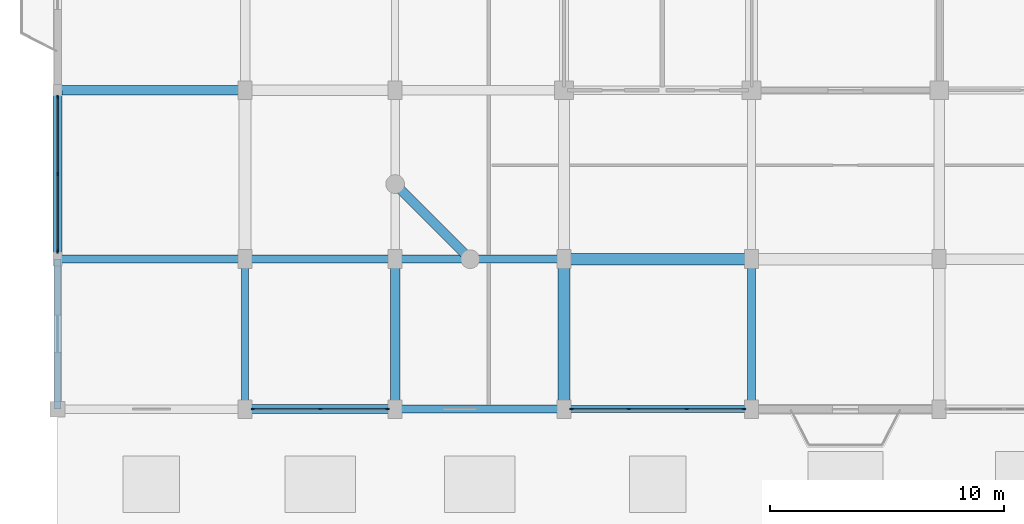
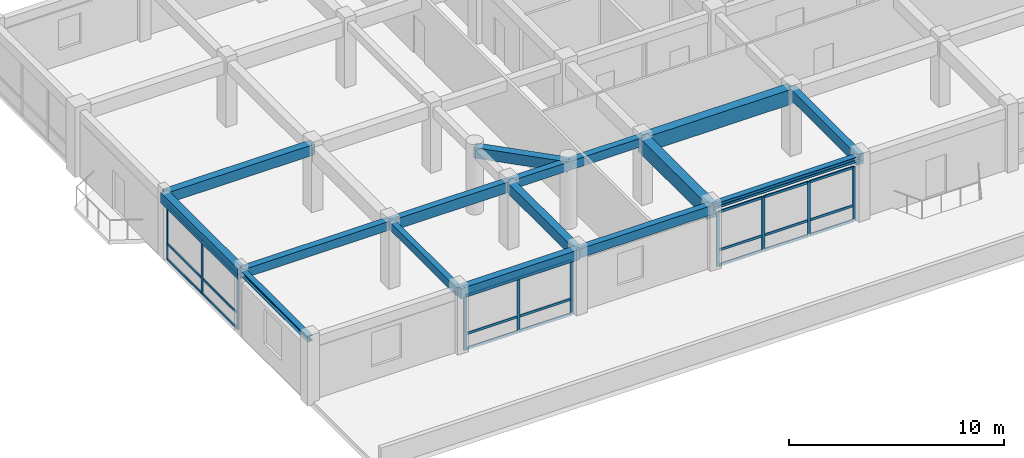
# One storey, part 2 of 20: 31 members, 15 beams, 3 elements without a shape of their own.
"""IFC4 building model written with IfcOpenShell, lengths in metres."""

from ifc_helpers import new_model, si_unit, direction, frame, origin, origin_2d, place, context, subcontext, project, spatial, rectangle, i_section, extrude, material, material_profile, profile_set, type_object, element, aggregate, save


model = new_model("IFC4")

# Units and contexts
model_context = context("Model", 3, precision=1e-05, world=origin(), true_north=direction((0.0, 1.0)))
body_context = subcontext(model_context, "Body", "Model", "MODEL_VIEW")
ifc_project = project(units=[si_unit("LENGTHUNIT", "METRE"), si_unit("AREAUNIT", "SQUARE_METRE"), si_unit("VOLUMEUNIT", "CUBIC_METRE"), si_unit("PLANEANGLEUNIT", "RADIAN"), si_unit("MASSUNIT", "GRAM", prefix="KILO")], contexts=[model_context])

# Site, building, storey
site_placement = place(None, origin())
site = spatial("IfcSite", under=ifc_project, at=site_placement, CompositionType="ELEMENT")
building_placement = place(site_placement, origin())
building = spatial("IfcBuilding", under=site, at=building_placement, Name="Vellmiral Cinema and Media Centre", CompositionType="ELEMENT")
storey_placement = place(building_placement, frame((0.0, 0.0, 23.800048828125)))
storey = spatial("IfcBuildingStorey", under=building, at=storey_placement, Name="L05", CompositionType="ELEMENT", Elevation=23.800048828125)

# Beams
ifc_material_1 = material(Name="Concrete C40/50", Category="concrete")
ifc_material_profile_1 = material_profile(ifc_material_1, rectangle(XDim=0.300048828125, YDim=0.449951171875, at=origin_2d()), Name="RC 300x450")
ifc_profile_set_1 = profile_set([ifc_material_profile_1], Name="Concrete C40/50")
beam_type_1 = type_object("IfcBeamType", Name="BM-RC-300x450", PredefinedType="BEAM", material=ifc_profile_set_1)
beam_1_placement = place(storey_placement, frame((110.39990234375, 65.60009765625, 3.469970703125), z_axis=(0.0, 1.0, 0.0), x_axis=(-1.0, 0.0, 0.0)))
element("IfcBeam", 1, at=beam_1_placement, inside=storey, type_object=beam_type_1, Name="Grid Beam L05-Y058", PredefinedType="BEAM", context=body_context, shape_type="SweptSolid", body=[
    extrude(rectangle(XDim=0.300048828125, YDim=0.449951171875, at=origin_2d()), origin(), (0.0, 0.0, 1.0), 6.39990234375),
])
ifc_material_2 = material(Name="Concrete C40/50", Category="concrete")
ifc_material_profile_2 = material_profile(ifc_material_2, rectangle(XDim=0.35009765625, YDim=0.5, at=origin_2d()), Name="RC 350x500")
ifc_profile_set_2 = profile_set([ifc_material_profile_2], Name="Concrete C40/50")
beam_type_2 = type_object("IfcBeamType", Name="BM-RC-350x500", PredefinedType="BEAM", material=ifc_profile_set_2)
beam_2_placement = place(storey_placement, frame((102.39990234375, 72.0, 3.445068359375), z_axis=(1.0, 0.0, 0.0), x_axis=(0.0, 1.0, 0.0)))
element("IfcBeam", 2, at=beam_2_placement, inside=storey, type_object=beam_type_2, Name="Grid Beam L05-X009", PredefinedType="BEAM", context=body_context, shape_type="SweptSolid", body=[
    extrude(rectangle(XDim=0.35009765625, YDim=0.5, at=origin_2d()), origin(), (0.0, 0.0, 1.0), 8.0),
])
beam_3_placement = place(storey_placement, frame((116.800048828125, 72.0, 3.445068359375), z_axis=(1.0, 0.0, 0.0), x_axis=(0.0, 1.0, 0.0)))
element("IfcBeam", 3, at=beam_3_placement, inside=storey, type_object=beam_type_2, Name="Grid Beam L05-X011", PredefinedType="BEAM", context=body_context, shape_type="SweptSolid", body=[
    extrude(rectangle(XDim=0.35009765625, YDim=0.5, at=origin_2d()), origin(), (0.0, 0.0, 1.0), 7.199951171875),
])
ifc_material_3 = material(Name="Concrete C40/50", Category="concrete")
ifc_material_profile_3 = material_profile(ifc_material_3, rectangle(XDim=0.35009765625, YDim=0.60009765625, at=origin_2d()), Name="RC 350x600")
ifc_profile_set_3 = profile_set([ifc_material_profile_3], Name="Concrete C40/50")
beam_type_3 = type_object("IfcBeamType", Name="BM-RC-350x600", PredefinedType="BEAM", material=ifc_profile_set_3)
beam_4_placement = place(storey_placement, frame((110.39990234375, 72.0, 3.39501953125), z_axis=(1.0, 0.0, 0.0), x_axis=(0.0, 1.0, 0.0)))
element("IfcBeam", 4, at=beam_4_placement, inside=storey, type_object=beam_type_3, Name="Grid Beam L05-X010", PredefinedType="BEAM", context=body_context, shape_type="SweptSolid", body=[
    extrude(rectangle(XDim=0.35009765625, YDim=0.60009765625, at=origin_2d()), origin(), (0.0, 0.0, 1.0), 6.400146484375),
])
beam_5_placement = place(storey_placement, frame((132.0, 65.60009765625, 3.39501953125), z_axis=(0.0, 1.0, 0.0), x_axis=(-1.0, 0.0, 0.0)))
element("IfcBeam", 5, at=beam_5_placement, inside=storey, type_object=beam_type_3, Name="Grid Beam L05-Y076", PredefinedType="BEAM", context=body_context, shape_type="SweptSolid", body=[
    extrude(rectangle(XDim=0.35009765625, YDim=0.60009765625, at=origin_2d()), origin(), (0.0, 0.0, 1.0), 6.39990234375),
])
ifc_material_4 = material(Name="Concrete C40/50", Category="concrete")
ifc_material_profile_4 = material_profile(ifc_material_4, rectangle(XDim=0.39990234375, YDim=0.60009765625, at=origin_2d()), Name="RC 400x600")
ifc_profile_set_4 = profile_set([ifc_material_profile_4], Name="Concrete C40/50")
beam_type_4 = type_object("IfcBeamType", Name="BM-RC-400x600", PredefinedType="BEAM", material=ifc_profile_set_4)
beam_6_placement = place(storey_placement, frame((102.39990234375, 79.199951171875, 3.39501953125), z_axis=(1.0, 0.0, 0.0), x_axis=(0.0, 1.0, 0.0)))
element("IfcBeam", 6, at=beam_6_placement, inside=storey, type_object=beam_type_4, Name="Grid Beam L05-X017", PredefinedType="BEAM", context=body_context, shape_type="SweptSolid", body=[
    extrude(rectangle(XDim=0.39990234375, YDim=0.60009765625, at=origin_2d()), origin(), (0.0, 0.0, 1.0), 8.0),
])
beam_7_placement = place(storey_placement, frame((116.800048828125, 65.60009765625, 3.39501953125), z_axis=(0.0, 1.0, 0.0), x_axis=(-1.0, 0.0, 0.0)))
element("IfcBeam", 7, at=beam_7_placement, inside=storey, type_object=beam_type_4, Name="Grid Beam L05-Y064", PredefinedType="BEAM", context=body_context, shape_type="SweptSolid", body=[
    extrude(rectangle(XDim=0.39990234375, YDim=0.60009765625, at=origin_2d()), origin(), (0.0, 0.0, 1.0), 6.39990234375),
])
ifc_material_5 = material(Name="Concrete C40/50", Category="concrete")
ifc_material_profile_5 = material_profile(ifc_material_5, rectangle(XDim=0.5, YDim=0.85009765625, at=origin_2d()), Name="RC 500x850")
ifc_profile_set_5 = profile_set([ifc_material_profile_5], Name="Concrete C40/50")
beam_type_5 = type_object("IfcBeamType", Name="BM-RC-500x850", PredefinedType="BEAM", material=ifc_profile_set_5)
beam_8_placement = place(storey_placement, frame((124.0, 72.0, 3.27001953125), z_axis=(1.0, 0.0, 0.0), x_axis=(0.0, 1.0, 0.0)))
element("IfcBeam", 8, at=beam_8_placement, inside=storey, type_object=beam_type_5, Name="Grid Beam L05-X012", PredefinedType="BEAM", context=body_context, shape_type="SweptSolid", body=[
    extrude(rectangle(XDim=0.5, YDim=0.85009765625, at=origin_2d()), origin(), (0.0, 0.0, 1.0), 8.0),
])
beam_9_placement = place(storey_placement, frame((124.0, 65.60009765625, 3.27001953125), z_axis=(0.0, 1.0, 0.0), x_axis=(-1.0, 0.0, 0.0)))
element("IfcBeam", 9, at=beam_9_placement, inside=storey, type_object=beam_type_5, Name="Grid Beam L05-Y070", PredefinedType="BEAM", context=body_context, shape_type="SweptSolid", body=[
    extrude(rectangle(XDim=0.5, YDim=0.85009765625, at=origin_2d()), origin(), (0.0, 0.0, 1.0), 6.39990234375),
])

# Curtain wall, members
ifc_material_6 = material(Name="Thermally Broken Aluminium and Triple Glazing", Category="aluminium")
curtain_wall_type_1 = type_object("IfcCurtainWallType", Name="CW-TOWER-LOW-S", PredefinedType="USERDEFINED", material=ifc_material_6)
curtain_wall_1_placement = place(storey_placement, origin())
curtain_wall_1 = element("IfcCurtainWall", 10, at=curtain_wall_1_placement, inside=storey, type_object=curtain_wall_type_1, Name="Curtain Wall L05-B002", ObjectType="UNITISED CURTAIN WALL", PredefinedType="USERDEFINED")
ifc_material_7 = material(Name="Thermally Broken Anodised Aluminium", Category="aluminium")
ifc_material_profile_6 = material_profile(ifc_material_7, rectangle(XDim=0.06494140625, YDim=0.159912109375, at=origin_2d()), Name="MULL 65x160")
ifc_profile_set_6 = profile_set([ifc_material_profile_6], Name="Thermally Broken Anodised Aluminium")
member_type_1 = type_object("IfcMemberType", Name="CWM-65x160", PredefinedType="MULLION", material=ifc_profile_set_6)
member_1_placement = place(storey_placement, frame((110.732421875, 65.60009765625, 0.0), z_axis=(0.0, 0.0, 1.0), x_axis=(0.0, 1.0, 0.0)))
member_1 = element("IfcMember", 11, at=member_1_placement, type_object=member_type_1, Name="CW-06 mullion 1", PredefinedType="MULLION", context=body_context, shape_type="SweptSolid", body=[
    extrude(rectangle(XDim=0.06494140625, YDim=0.159912109375, at=origin_2d()), origin(), (0.0, 0.0, 1.0), 3.099853515625),
])
member_2_placement = place(storey_placement, frame((113.60009765625, 65.60009765625, 0.0), z_axis=(0.0, 0.0, 1.0), x_axis=(0.0, 1.0, 0.0)))
member_2 = element("IfcMember", 12, at=member_2_placement, type_object=member_type_1, Name="CW-06 mullion 2", PredefinedType="MULLION", context=body_context, shape_type="SweptSolid", body=[
    extrude(rectangle(XDim=0.06494140625, YDim=0.159912109375, at=origin_2d()), origin(), (0.0, 0.0, 1.0), 3.099853515625),
])
member_3_placement = place(storey_placement, frame((116.467529296875, 65.60009765625, 0.0), z_axis=(0.0, 0.0, 1.0), x_axis=(0.0, 1.0, 0.0)))
member_3 = element("IfcMember", 13, at=member_3_placement, type_object=member_type_1, Name="CW-06 mullion 3", PredefinedType="MULLION", context=body_context, shape_type="SweptSolid", body=[
    extrude(rectangle(XDim=0.06494140625, YDim=0.159912109375, at=origin_2d()), origin(), (0.0, 0.0, 1.0), 3.099853515625),
])

curtain_wall_2_placement = place(storey_placement, origin())
curtain_wall_2 = element("IfcCurtainWall", 14, at=curtain_wall_2_placement, inside=storey, type_object=curtain_wall_type_1, Name="Curtain Wall L05-B004", ObjectType="UNITISED CURTAIN WALL", PredefinedType="USERDEFINED")
member_4_placement = place(storey_placement, frame((124.33251953125, 65.60009765625, 0.0), z_axis=(0.0, 0.0, 1.0), x_axis=(0.0, 1.0, 0.0)))
member_4 = element("IfcMember", 15, at=member_4_placement, type_object=member_type_1, Name="CW-06 mullion 1", PredefinedType="MULLION", context=body_context, shape_type="SweptSolid", body=[
    extrude(rectangle(XDim=0.06494140625, YDim=0.159912109375, at=origin_2d()), origin(), (0.0, 0.0, 1.0), 3.099853515625),
])
member_5_placement = place(storey_placement, frame((126.7666015625, 65.60009765625, 0.0), z_axis=(0.0, 0.0, 1.0), x_axis=(0.0, 1.0, 0.0)))
member_5 = element("IfcMember", 16, at=member_5_placement, type_object=member_type_1, Name="CW-06 mullion 2", PredefinedType="MULLION", context=body_context, shape_type="SweptSolid", body=[
    extrude(rectangle(XDim=0.06494140625, YDim=0.159912109375, at=origin_2d()), origin(), (0.0, 0.0, 1.0), 3.099853515625),
])
member_6_placement = place(storey_placement, frame((129.2333984375, 65.60009765625, 0.0), z_axis=(0.0, 0.0, 1.0), x_axis=(0.0, 1.0, 0.0)))
member_6 = element("IfcMember", 17, at=member_6_placement, type_object=member_type_1, Name="CW-06 mullion 3", PredefinedType="MULLION", context=body_context, shape_type="SweptSolid", body=[
    extrude(rectangle(XDim=0.06494140625, YDim=0.159912109375, at=origin_2d()), origin(), (0.0, 0.0, 1.0), 3.099853515625),
])
member_7_placement = place(storey_placement, frame((131.66748046875, 65.60009765625, 0.0), z_axis=(0.0, 0.0, 1.0), x_axis=(0.0, 1.0, 0.0)))
member_7 = element("IfcMember", 18, at=member_7_placement, type_object=member_type_1, Name="CW-06 mullion 4", PredefinedType="MULLION", context=body_context, shape_type="SweptSolid", body=[
    extrude(rectangle(XDim=0.06494140625, YDim=0.159912109375, at=origin_2d()), origin(), (0.0, 0.0, 1.0), 3.099853515625),
])

ifc_material_8 = material(Name="Thermally Broken Aluminium and Triple Glazing", Category="aluminium")
curtain_wall_type_2 = type_object("IfcCurtainWallType", Name="CW-TOWER-LOW-N", PredefinedType="USERDEFINED", material=ifc_material_8)
curtain_wall_3_placement = place(storey_placement, origin())
curtain_wall_3 = element("IfcCurtainWall", 19, at=curtain_wall_3_placement, inside=storey, type_object=curtain_wall_type_2, Name="Curtain Wall L05-B030", ObjectType="UNITISED CURTAIN WALL", PredefinedType="USERDEFINED")
member_8_placement = place(storey_placement, frame((102.39990234375, 78.91748046875, 0.0), z_axis=(0.0, 0.0, 1.0), x_axis=(1.0, 0.0, 0.0)))
member_8 = element("IfcMember", 20, at=member_8_placement, type_object=member_type_1, Name="CW-05 mullion 1", PredefinedType="MULLION", context=body_context, shape_type="SweptSolid", body=[
    extrude(rectangle(XDim=0.06494140625, YDim=0.159912109375, at=origin_2d()), origin(), (0.0, 0.0, 1.0), 3.0849609375),
])
member_9_placement = place(storey_placement, frame((102.39990234375, 75.625, 0.0), z_axis=(0.0, 0.0, 1.0), x_axis=(1.0, 0.0, 0.0)))
member_9 = element("IfcMember", 21, at=member_9_placement, type_object=member_type_1, Name="CW-05 mullion 2", PredefinedType="MULLION", context=body_context, shape_type="SweptSolid", body=[
    extrude(rectangle(XDim=0.06494140625, YDim=0.159912109375, at=origin_2d()), origin(), (0.0, 0.0, 1.0), 3.0849609375),
])
member_10_placement = place(storey_placement, frame((102.39990234375, 72.33251953125, 0.0), z_axis=(0.0, 0.0, 1.0), x_axis=(1.0, 0.0, 0.0)))
member_10 = element("IfcMember", 22, at=member_10_placement, type_object=member_type_1, Name="CW-05 mullion 3", PredefinedType="MULLION", context=body_context, shape_type="SweptSolid", body=[
    extrude(rectangle(XDim=0.06494140625, YDim=0.159912109375, at=origin_2d()), origin(), (0.0, 0.0, 1.0), 3.0849609375),
])

# Member
ifc_material_9 = material(Name="Thermally Broken Anodised Aluminium", Category="aluminium")
ifc_material_profile_7 = material_profile(ifc_material_9, rectangle(XDim=0.06494140625, YDim=0.135009765625, at=origin_2d()), Name="MULL 65x135")
ifc_profile_set_7 = profile_set([ifc_material_profile_7], Name="Thermally Broken Anodised Aluminium")
member_type_2 = type_object("IfcMemberType", Name="CWT-65x135", PredefinedType="USERDEFINED", material=ifc_profile_set_7)
member_11_placement = place(storey_placement, frame((110.764892578125, 65.60009765625, 0.032470703125), z_axis=(1.0, 0.0, 0.0), x_axis=(0.0, 1.0, 0.0)))
member_11 = element("IfcMember", 23, at=member_11_placement, type_object=member_type_2, Name="CW-06 transom 1.1", ObjectType="TRANSOM", PredefinedType="USERDEFINED", context=body_context, shape_type="SweptSolid", body=[
    extrude(rectangle(XDim=0.06494140625, YDim=0.135009765625, at=origin_2d()), origin(), (0.0, 0.0, 1.0), 2.802490234375),
])

member_12_placement = place(storey_placement, frame((110.764892578125, 65.60009765625, 0.89990234375), z_axis=(1.0, 0.0, 0.0), x_axis=(0.0, 1.0, 0.0)))
member_12 = element("IfcMember", 24, at=member_12_placement, type_object=member_type_2, Name="CW-06 transom 1.2", ObjectType="TRANSOM", PredefinedType="USERDEFINED", context=body_context, shape_type="SweptSolid", body=[
    extrude(rectangle(XDim=0.06494140625, YDim=0.135009765625, at=origin_2d()), origin(), (0.0, 0.0, 1.0), 2.802490234375),
])

member_13_placement = place(storey_placement, frame((110.764892578125, 65.60009765625, 3.0673828125), z_axis=(1.0, 0.0, 0.0), x_axis=(0.0, 1.0, 0.0)))
member_13 = element("IfcMember", 25, at=member_13_placement, type_object=member_type_2, Name="CW-06 transom 1.3", ObjectType="TRANSOM", PredefinedType="USERDEFINED", context=body_context, shape_type="SweptSolid", body=[
    extrude(rectangle(XDim=0.06494140625, YDim=0.135009765625, at=origin_2d()), origin(), (0.0, 0.0, 1.0), 2.802490234375),
])

member_14_placement = place(storey_placement, frame((113.632568359375, 65.60009765625, 0.032470703125), z_axis=(1.0, 0.0, 0.0), x_axis=(0.0, 1.0, 0.0)))
member_14 = element("IfcMember", 26, at=member_14_placement, type_object=member_type_2, Name="CW-06 transom 2.1", ObjectType="TRANSOM", PredefinedType="USERDEFINED", context=body_context, shape_type="SweptSolid", body=[
    extrude(rectangle(XDim=0.06494140625, YDim=0.135009765625, at=origin_2d()), origin(), (0.0, 0.0, 1.0), 2.802490234375),
])

member_15_placement = place(storey_placement, frame((113.632568359375, 65.60009765625, 0.89990234375), z_axis=(1.0, 0.0, 0.0), x_axis=(0.0, 1.0, 0.0)))
member_15 = element("IfcMember", 27, at=member_15_placement, type_object=member_type_2, Name="CW-06 transom 2.2", ObjectType="TRANSOM", PredefinedType="USERDEFINED", context=body_context, shape_type="SweptSolid", body=[
    extrude(rectangle(XDim=0.06494140625, YDim=0.135009765625, at=origin_2d()), origin(), (0.0, 0.0, 1.0), 2.802490234375),
])

member_16_placement = place(storey_placement, frame((113.632568359375, 65.60009765625, 3.0673828125), z_axis=(1.0, 0.0, 0.0), x_axis=(0.0, 1.0, 0.0)))
member_16 = element("IfcMember", 28, at=member_16_placement, type_object=member_type_2, Name="CW-06 transom 2.3", ObjectType="TRANSOM", PredefinedType="USERDEFINED", context=body_context, shape_type="SweptSolid", body=[
    extrude(rectangle(XDim=0.06494140625, YDim=0.135009765625, at=origin_2d()), origin(), (0.0, 0.0, 1.0), 2.802490234375),
])

aggregate(curtain_wall_1, [member_1, member_2, member_3, member_11, member_12, member_13, member_14, member_15, member_16])

member_17_placement = place(storey_placement, frame((124.364990234375, 65.60009765625, 0.032470703125), z_axis=(1.0, 0.0, 0.0), x_axis=(0.0, 1.0, 0.0)))
member_17 = element("IfcMember", 29, at=member_17_placement, type_object=member_type_2, Name="CW-06 transom 1.1", ObjectType="TRANSOM", PredefinedType="USERDEFINED", context=body_context, shape_type="SweptSolid", body=[
    extrude(rectangle(XDim=0.06494140625, YDim=0.135009765625, at=origin_2d()), origin(), (0.0, 0.0, 1.0), 2.369140625),
])

member_18_placement = place(storey_placement, frame((124.364990234375, 65.60009765625, 0.89990234375), z_axis=(1.0, 0.0, 0.0), x_axis=(0.0, 1.0, 0.0)))
member_18 = element("IfcMember", 30, at=member_18_placement, type_object=member_type_2, Name="CW-06 transom 1.2", ObjectType="TRANSOM", PredefinedType="USERDEFINED", context=body_context, shape_type="SweptSolid", body=[
    extrude(rectangle(XDim=0.06494140625, YDim=0.135009765625, at=origin_2d()), origin(), (0.0, 0.0, 1.0), 2.369140625),
])

member_19_placement = place(storey_placement, frame((124.364990234375, 65.60009765625, 3.0673828125), z_axis=(1.0, 0.0, 0.0), x_axis=(0.0, 1.0, 0.0)))
member_19 = element("IfcMember", 31, at=member_19_placement, type_object=member_type_2, Name="CW-06 transom 1.3", ObjectType="TRANSOM", PredefinedType="USERDEFINED", context=body_context, shape_type="SweptSolid", body=[
    extrude(rectangle(XDim=0.06494140625, YDim=0.135009765625, at=origin_2d()), origin(), (0.0, 0.0, 1.0), 2.369140625),
])

member_20_placement = place(storey_placement, frame((126.799072265625, 65.60009765625, 0.032470703125), z_axis=(1.0, 0.0, 0.0), x_axis=(0.0, 1.0, 0.0)))
member_20 = element("IfcMember", 32, at=member_20_placement, type_object=member_type_2, Name="CW-06 transom 2.1", ObjectType="TRANSOM", PredefinedType="USERDEFINED", context=body_context, shape_type="SweptSolid", body=[
    extrude(rectangle(XDim=0.06494140625, YDim=0.135009765625, at=origin_2d()), origin(), (0.0, 0.0, 1.0), 2.40185546875),
])

member_21_placement = place(storey_placement, frame((126.799072265625, 65.60009765625, 0.89990234375), z_axis=(1.0, 0.0, 0.0), x_axis=(0.0, 1.0, 0.0)))
member_21 = element("IfcMember", 33, at=member_21_placement, type_object=member_type_2, Name="CW-06 transom 2.2", ObjectType="TRANSOM", PredefinedType="USERDEFINED", context=body_context, shape_type="SweptSolid", body=[
    extrude(rectangle(XDim=0.06494140625, YDim=0.135009765625, at=origin_2d()), origin(), (0.0, 0.0, 1.0), 2.40185546875),
])

member_22_placement = place(storey_placement, frame((126.799072265625, 65.60009765625, 3.0673828125), z_axis=(1.0, 0.0, 0.0), x_axis=(0.0, 1.0, 0.0)))
member_22 = element("IfcMember", 34, at=member_22_placement, type_object=member_type_2, Name="CW-06 transom 2.3", ObjectType="TRANSOM", PredefinedType="USERDEFINED", context=body_context, shape_type="SweptSolid", body=[
    extrude(rectangle(XDim=0.06494140625, YDim=0.135009765625, at=origin_2d()), origin(), (0.0, 0.0, 1.0), 2.40185546875),
])

member_23_placement = place(storey_placement, frame((129.265869140625, 65.60009765625, 0.032470703125), z_axis=(1.0, 0.0, 0.0), x_axis=(0.0, 1.0, 0.0)))
member_23 = element("IfcMember", 35, at=member_23_placement, type_object=member_type_2, Name="CW-06 transom 3.1", ObjectType="TRANSOM", PredefinedType="USERDEFINED", context=body_context, shape_type="SweptSolid", body=[
    extrude(rectangle(XDim=0.06494140625, YDim=0.135009765625, at=origin_2d()), origin(), (0.0, 0.0, 1.0), 2.369140625),
])

member_24_placement = place(storey_placement, frame((129.265869140625, 65.60009765625, 0.89990234375), z_axis=(1.0, 0.0, 0.0), x_axis=(0.0, 1.0, 0.0)))
member_24 = element("IfcMember", 36, at=member_24_placement, type_object=member_type_2, Name="CW-06 transom 3.2", ObjectType="TRANSOM", PredefinedType="USERDEFINED", context=body_context, shape_type="SweptSolid", body=[
    extrude(rectangle(XDim=0.06494140625, YDim=0.135009765625, at=origin_2d()), origin(), (0.0, 0.0, 1.0), 2.369140625),
])

member_25_placement = place(storey_placement, frame((129.265869140625, 65.60009765625, 3.0673828125), z_axis=(1.0, 0.0, 0.0), x_axis=(0.0, 1.0, 0.0)))
member_25 = element("IfcMember", 37, at=member_25_placement, type_object=member_type_2, Name="CW-06 transom 3.3", ObjectType="TRANSOM", PredefinedType="USERDEFINED", context=body_context, shape_type="SweptSolid", body=[
    extrude(rectangle(XDim=0.06494140625, YDim=0.135009765625, at=origin_2d()), origin(), (0.0, 0.0, 1.0), 2.369140625),
])

aggregate(curtain_wall_2, [member_4, member_5, member_6, member_7, member_17, member_18, member_19, member_20, member_21, member_22, member_23, member_24, member_25])

member_26_placement = place(storey_placement, frame((102.39990234375, 78.885009765625, 0.032470703125), z_axis=(0.0, -1.0, 0.0), x_axis=(1.0, 0.0, 0.0)))
member_26 = element("IfcMember", 38, at=member_26_placement, type_object=member_type_2, Name="CW-05 transom 1.1", ObjectType="TRANSOM", PredefinedType="USERDEFINED", context=body_context, shape_type="SweptSolid", body=[
    extrude(rectangle(XDim=0.06494140625, YDim=0.135009765625, at=origin_2d()), origin(), (0.0, 0.0, 1.0), 3.2275390625),
])

member_27_placement = place(storey_placement, frame((102.39990234375, 78.885009765625, 0.89990234375), z_axis=(0.0, -1.0, 0.0), x_axis=(1.0, 0.0, 0.0)))
member_27 = element("IfcMember", 39, at=member_27_placement, type_object=member_type_2, Name="CW-05 transom 1.2", ObjectType="TRANSOM", PredefinedType="USERDEFINED", context=body_context, shape_type="SweptSolid", body=[
    extrude(rectangle(XDim=0.06494140625, YDim=0.135009765625, at=origin_2d()), origin(), (0.0, 0.0, 1.0), 3.2275390625),
])

member_28_placement = place(storey_placement, frame((102.39990234375, 78.885009765625, 3.052490234375), z_axis=(0.0, -1.0, 0.0), x_axis=(1.0, 0.0, 0.0)))
member_28 = element("IfcMember", 40, at=member_28_placement, type_object=member_type_2, Name="CW-05 transom 1.3", ObjectType="TRANSOM", PredefinedType="USERDEFINED", context=body_context, shape_type="SweptSolid", body=[
    extrude(rectangle(XDim=0.06494140625, YDim=0.135009765625, at=origin_2d()), origin(), (0.0, 0.0, 1.0), 3.2275390625),
])

member_29_placement = place(storey_placement, frame((102.39990234375, 75.592529296875, 0.032470703125), z_axis=(0.0, -1.0, 0.0), x_axis=(1.0, 0.0, 0.0)))
member_29 = element("IfcMember", 41, at=member_29_placement, type_object=member_type_2, Name="CW-05 transom 2.1", ObjectType="TRANSOM", PredefinedType="USERDEFINED", context=body_context, shape_type="SweptSolid", body=[
    extrude(rectangle(XDim=0.06494140625, YDim=0.135009765625, at=origin_2d()), origin(), (0.0, 0.0, 1.0), 3.2275390625),
])

member_30_placement = place(storey_placement, frame((102.39990234375, 75.592529296875, 0.89990234375), z_axis=(0.0, -1.0, 0.0), x_axis=(1.0, 0.0, 0.0)))
member_30 = element("IfcMember", 42, at=member_30_placement, type_object=member_type_2, Name="CW-05 transom 2.2", ObjectType="TRANSOM", PredefinedType="USERDEFINED", context=body_context, shape_type="SweptSolid", body=[
    extrude(rectangle(XDim=0.06494140625, YDim=0.135009765625, at=origin_2d()), origin(), (0.0, 0.0, 1.0), 3.2275390625),
])

member_31_placement = place(storey_placement, frame((102.39990234375, 75.592529296875, 3.052490234375), z_axis=(0.0, -1.0, 0.0), x_axis=(1.0, 0.0, 0.0)))
member_31 = element("IfcMember", 43, at=member_31_placement, type_object=member_type_2, Name="CW-05 transom 2.3", ObjectType="TRANSOM", PredefinedType="USERDEFINED", context=body_context, shape_type="SweptSolid", body=[
    extrude(rectangle(XDim=0.06494140625, YDim=0.135009765625, at=origin_2d()), origin(), (0.0, 0.0, 1.0), 3.2275390625),
])

aggregate(curtain_wall_3, [member_8, member_9, member_10, member_26, member_27, member_28, member_29, member_30, member_31])

# Beams
ifc_material_10 = material(Name="Steel S355", Category="steel")
ifc_material_profile_8 = material_profile(ifc_material_10, i_section(OverallWidth=0.300048828125, OverallDepth=0.300048828125, WebThickness=0.010986328125, FlangeThickness=0.01904296875, FilletRadius=0.027099609375, at=origin_2d()), Name="HEB 300")
ifc_profile_set_8 = profile_set([ifc_material_profile_8], Name="Steel S355")
beam_type_6 = type_object("IfcBeamType", Name="SBM-HEB300", PredefinedType="SPANDREL", material=ifc_profile_set_8)
beam_10_placement = place(storey_placement, frame((124.0, 65.60009765625, 3.544921875), z_axis=(1.0, 0.0, 0.0), x_axis=(0.0, 1.0, 0.0)))
element("IfcBeam", 44, at=beam_10_placement, inside=storey, type_object=beam_type_6, Name="Grid Beam L05-X004", PredefinedType="SPANDREL", context=body_context, shape_type="SweptSolid", body=[
    extrude(i_section(OverallWidth=0.300048828125, OverallDepth=0.300048828125, WebThickness=0.010986328125, FlangeThickness=0.01904296875, FilletRadius=0.027099609375, at=origin_2d()), origin(), (0.0, 0.0, 1.0), 8.0),
])
beam_11_placement = place(storey_placement, frame((102.39990234375, 65.60009765625, 3.544921875), z_axis=(0.0, 1.0, 0.0), x_axis=(-1.0, 0.0, 0.0)))
element("IfcBeam", 45, at=beam_11_placement, inside=storey, type_object=beam_type_6, Name="Grid Beam L05-Y054", PredefinedType="SPANDREL", context=body_context, shape_type="SweptSolid", body=[
    extrude(i_section(OverallWidth=0.300048828125, OverallDepth=0.300048828125, WebThickness=0.010986328125, FlangeThickness=0.01904296875, FilletRadius=0.027099609375, at=origin_2d()), origin(), (0.0, 0.0, 1.0), 6.39990234375),
])
ifc_material_11 = material(Name="Concrete C40/50", Category="concrete")
ifc_material_profile_9 = material_profile(ifc_material_11, rectangle(XDim=0.39990234375, YDim=0.60009765625, at=origin_2d()), Name="RC 400x600")
ifc_profile_set_9 = profile_set([ifc_material_profile_9], Name="Concrete C40/50")
beam_type_7 = type_object("IfcBeamType", Name="SPD-RC-400x600", PredefinedType="SPANDREL", material=ifc_profile_set_9)
beam_12_placement = place(storey_placement, frame((102.39990234375, 72.0, 3.39501953125), z_axis=(0.0, 1.0, 0.0), x_axis=(-1.0, 0.0, 0.0)))
element("IfcBeam", 46, at=beam_12_placement, inside=storey, type_object=beam_type_7, Name="Grid Beam L05-Y055", PredefinedType="SPANDREL", context=body_context, shape_type="SweptSolid", body=[
    extrude(rectangle(XDim=0.39990234375, YDim=0.60009765625, at=origin_2d()), origin(), (0.0, 0.0, 1.0), 7.199951171875),
])
beam_13_placement = place(storey_placement, frame((116.800048828125, 75.199951171875, 3.39501953125), z_axis=(0.707106781187, -0.707106781187, 0.0), x_axis=(0.707106781187, 0.707106781187, 0.0)))
element("IfcBeam", 47, at=beam_13_placement, inside=storey, type_object=beam_type_7, Name="Xamfra Chamfer Spandrel Beam L05-105", PredefinedType="SPANDREL", context=body_context, shape_type="SweptSolid", body=[
    extrude(rectangle(XDim=0.39990234375, YDim=0.60009765625, at=origin_2d()), origin(), (0.0, 0.0, 1.0), 4.525390625),
])
ifc_material_12 = material(Name="Vosges Red Sandstone Masonry", Category="masonry")
ifc_material_profile_10 = material_profile(ifc_material_12, rectangle(XDim=0.340087890625, YDim=0.52001953125, at=origin_2d()), Name="SAND 340x520")
ifc_profile_set_10 = profile_set([ifc_material_profile_10], Name="Vosges Red Sandstone Masonry")
beam_type_8 = type_object("IfcBeamType", Name="SPD-SAND-340x520", PredefinedType="SPANDREL", material=ifc_profile_set_10)
beam_14_placement = place(storey_placement, frame((116.800048828125, 65.60009765625, 3.43505859375), z_axis=(1.0, 0.0, 0.0), x_axis=(0.0, 1.0, 0.0)))
element("IfcBeam", 48, at=beam_14_placement, inside=storey, type_object=beam_type_8, Name="Grid Beam L05-X003", PredefinedType="SPANDREL", context=body_context, shape_type="SweptSolid", body=[
    extrude(rectangle(XDim=0.340087890625, YDim=0.52001953125, at=origin_2d()), origin(), (0.0, 0.0, 1.0), 7.199951171875),
])
ifc_material_13 = material(Name="Vosges Red Sandstone Masonry", Category="masonry")
ifc_material_profile_11 = material_profile(ifc_material_13, rectangle(XDim=0.3798828125, YDim=0.580078125, at=origin_2d()), Name="SAND 380x580")
ifc_profile_set_11 = profile_set([ifc_material_profile_11], Name="Vosges Red Sandstone Masonry")
beam_type_9 = type_object("IfcBeamType", Name="SPD-SAND-380x580", PredefinedType="SPANDREL", material=ifc_profile_set_11)
beam_15_placement = place(storey_placement, frame((110.39990234375, 65.60009765625, 3.405029296875), z_axis=(1.0, 0.0, 0.0), x_axis=(0.0, 1.0, 0.0)))
element("IfcBeam", 49, at=beam_15_placement, inside=storey, type_object=beam_type_9, Name="Grid Beam L05-X002", PredefinedType="SPANDREL", context=body_context, shape_type="SweptSolid", body=[
    extrude(rectangle(XDim=0.3798828125, YDim=0.580078125, at=origin_2d()), origin(), (0.0, 0.0, 1.0), 6.400146484375),
])

save(model, "model.ifc")
